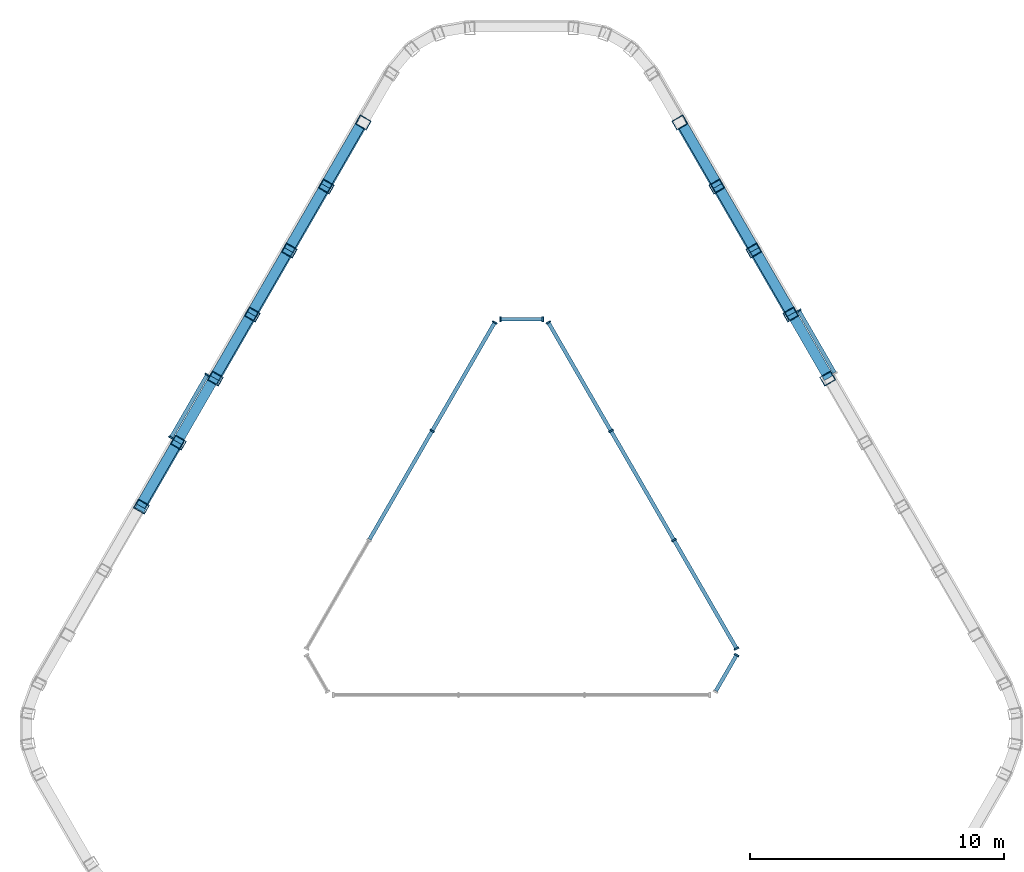
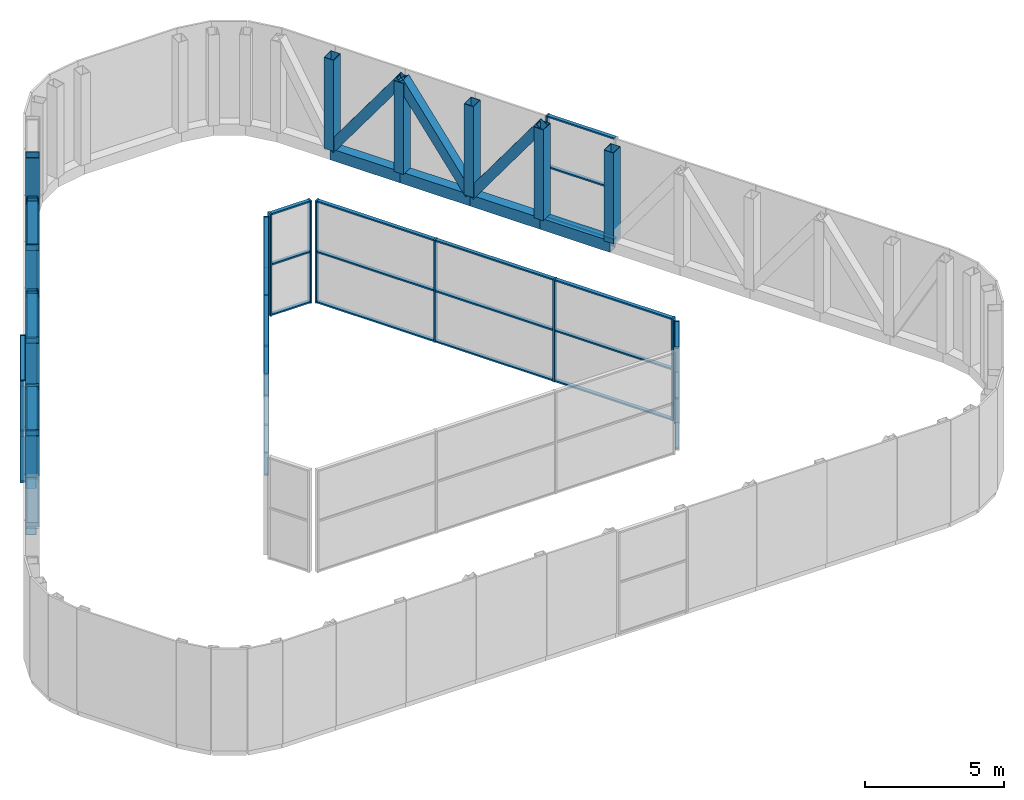
# One storey, part 2 of 5: 69 members, 6 elements without a shape of their own.
"""IFC4 building model written with IfcOpenShell, lengths in metres."""

from ifc_helpers import new_model, si_unit, direction, frame, origin, origin_2d, place, context, subcontext, project, spatial, rectangle, hollow_rectangle, extrude, material, layer, layer_set, material_profile, profile_set, type_object, element, aggregate, save


model = new_model("IFC4")

# Units and contexts
model_context = context("Model", 3, precision=1e-05, world=origin(), true_north=direction((0.0, 1.0)))
body_context = subcontext(model_context, "Body", "Model", "MODEL_VIEW")
ifc_project = project(units=[si_unit("LENGTHUNIT", "METRE"), si_unit("AREAUNIT", "SQUARE_METRE"), si_unit("VOLUMEUNIT", "CUBIC_METRE"), si_unit("PLANEANGLEUNIT", "RADIAN"), si_unit("MASSUNIT", "GRAM", prefix="KILO")], contexts=[model_context])

# Site, building, storey
site_placement = place(None, origin())
site = spatial("IfcSite", under=ifc_project, at=site_placement, CompositionType="ELEMENT")
building_placement = place(site_placement, origin())
building = spatial("IfcBuilding", under=site, at=building_placement, Name="Apuvela Tower Hotel", CompositionType="ELEMENT")
storey_placement = place(building_placement, frame((0.0, 0.0, 357.800048828125)))
storey = spatial("IfcBuildingStorey", under=building, at=storey_placement, Name="R-4 ROOF", CompositionType="ELEMENT", Elevation=357.800048828125)

# Members
ifc_material_1 = material(Name="Steel S355, black paint system", Category="steel")
ifc_material_profile_1 = material_profile(ifc_material_1, hollow_rectangle(XDim=0.39990234375, YDim=0.39990234375, WallThickness=0.01611328125, at=origin_2d()), Name="HSS 400x400x16")
ifc_profile_set_1 = profile_set([ifc_material_profile_1], Name="Steel S355, black paint system")
member_type_1 = type_object("IfcMemberType", Name="ENV-CROWN-BRACE-400x400", PredefinedType="BRACE", material=ifc_profile_set_1)
for number, where, z_axis, x_axis, name in (
    (1, (-6.236572265625, 17.050537109375, 0.25), (-0.294239887517, -0.50972631864, 0.808456534811), (0.866062731661, -0.499935340648, 0.0), "Crown frame brace 8"),
    (2, (-9.1484375, 12.0068359375, 0.25), (0.294292360305, 0.509682392621, 0.808465129315), (-0.866005469285, 0.500034525977, 0.0), "Crown frame brace 9"),
    (3, (-9.1484375, 12.0068359375, 0.25), (-0.294292360305, -0.509682392621, 0.808465129315), (0.866005469285, -0.500034525977, 0.0), "Crown frame brace 10"),
    (4, (-12.060302734375, 6.963134765625, 0.25), (0.294239887517, 0.50972631864, 0.808456534811), (-0.866062731661, 0.499935340648, 0.0), "Crown frame brace 11"),
    (5, (-14.972412109375, 1.91943359375, 0.25), (0.294292360305, 0.509682392621, 0.808465129315), (-0.866005469285, 0.500034525977, 0.0), "Crown frame brace 13"),
    (6, (9.1484375, 12.0068359375, 0.25), (0.294292360305, -0.509682392621, 0.808465129315), (0.866005469285, 0.500034525977, 0.0), "Crown frame brace 47"),
    (7, (9.1484375, 12.0068359375, 0.25), (-0.294292360305, 0.509682392621, 0.808465129315), (-0.866005469285, -0.500034525977, 0.0), "Crown frame brace 48"),
    (8, (6.236572265625, 17.050537109375, 0.25), (0.294239887517, -0.50972631864, 0.808456534811), (0.866062731661, 0.499935340648, 0.0), "Crown frame brace 49"),
):
    element("IfcMember", number, at=place(storey_placement, frame(where, z_axis=z_axis, x_axis=x_axis)), inside=storey, type_object=member_type_1, Name=name, PredefinedType="BRACE", context=body_context, shape_type="SweptSolid", body=[
        extrude(hollow_rectangle(XDim=0.39990234375, YDim=0.39990234375, WallThickness=0.01611328125, at=origin_2d()), origin(), (0.0, 0.0, 1.0), 4.94775390625),
    ])
ifc_material_profile_2 = material_profile(ifc_material_1, hollow_rectangle(XDim=0.39990234375, YDim=0.5, WallThickness=0.02001953125, at=origin_2d()), Name="HSS 500x400x20")
ifc_profile_set_2 = profile_set([ifc_material_profile_2], Name="Steel S355, black paint system")
member_type_2 = type_object("IfcMemberType", Name="ENV-CROWN-POST-500x400", PredefinedType="POST", material=ifc_profile_set_2)
for number, where, z_axis, x_axis, name in (
    (9, (-6.236572265625, 17.050537109375, 0.25), (0.0, 0.0, 1.0), (-0.5, -0.866025403784, 0.0), "Crown frame post 8"),
    (10, (-7.6923828125, 14.528564453125, 0.25), (0.0, 0.0, 1.0), (-0.5, -0.866025403784, 0.0), "Crown frame post 9"),
    (11, (-9.1484375, 12.0068359375, 0.25), (0.0, 0.0, 1.0), (-0.5, -0.866025403784, 0.0), "Crown frame post 10"),
    (12, (-10.6044921875, 9.485107421875, 0.25), (0.0, 0.0, 1.0), (-0.5, -0.866025403784, 0.0), "Crown frame post 11"),
    (13, (-12.060302734375, 6.963134765625, 0.25), (0.0, 0.0, 1.0), (-0.5, -0.866025403784, 0.0), "Crown frame post 12"),
    (14, (-13.516357421875, 4.441162109375, 0.25), (0.0, 0.0, 1.0), (-0.5, -0.866025403784, 0.0), "Crown frame post 13"),
    (15, (-14.972412109375, 1.91943359375, 0.25), (0.0, 0.0, 1.0), (-0.5, -0.866025403784, 0.0), "Crown frame post 14"),
    (16, (12.060302734375, 6.963134765625, 0.25), (0.0, 0.0, 1.0), (-0.5, 0.866025403784, 0.0), "Crown frame post 46"),
    (17, (10.6044921875, 9.485107421875, 0.25), (0.0, 0.0, 1.0), (-0.5, 0.866025403784, 0.0), "Crown frame post 47"),
    (18, (9.1484375, 12.0068359375, 0.25), (0.0, 0.0, 1.0), (-0.5, 0.866025403784, 0.0), "Crown frame post 48"),
    (19, (7.6923828125, 14.528564453125, 0.25), (0.0, 0.0, 1.0), (-0.5, 0.866025403784, 0.0), "Crown frame post 49"),
    (20, (6.236572265625, 17.050537109375, 0.25), (0.0, 0.0, 1.0), (-0.5, 0.866025403784, 0.0), "Crown frame post 50"),
):
    element("IfcMember", number, at=place(storey_placement, frame(where, z_axis=z_axis, x_axis=x_axis)), inside=storey, type_object=member_type_2, Name=name, PredefinedType="POST", context=body_context, shape_type="SweptSolid", body=[
        extrude(hollow_rectangle(XDim=0.39990234375, YDim=0.5, WallThickness=0.02001953125, at=origin_2d()), origin(), (0.0, 0.0, 1.0), 4.0),
    ])
ifc_material_profile_3 = material_profile(ifc_material_1, hollow_rectangle(XDim=0.39990234375, YDim=0.5, WallThickness=0.01611328125, at=origin_2d()), Name="HSS 500x400x16")
ifc_profile_set_3 = profile_set([ifc_material_profile_3], Name="Steel S355, black paint system")
member_type_3 = type_object("IfcMemberType", Name="ENV-CROWN-RING-500x400", PredefinedType="STRINGER", material=ifc_profile_set_3)
member_1_placement = place(storey_placement, frame((-6.27783203125, 17.07861328125, 0.0), z_axis=(-0.500015065024, -0.866016705814, 0.0), x_axis=(0.866016705814, -0.500015065024, 0.0)))
element("IfcMember", 21, at=member_1_placement, inside=storey, type_object=member_type_3, Name="Crown frame ring beam 4.8", PredefinedType="STRINGER", context=body_context, shape_type="SweptSolid", body=[
    extrude(hollow_rectangle(XDim=0.39990234375, YDim=0.5, WallThickness=0.01611328125, at=origin_2d()), origin(), (0.0, 0.0, 1.0), 2.9130859375),
])
for number, where, z_axis, x_axis, name in (
    (22, (-7.734375, 14.555908203125, 0.0), (-0.500051359076, -0.865995749577, 0.0), (0.865995749577, -0.500051359076, 0.0), "Crown frame ring beam 4.9"),
    (23, (-9.19091796875, 12.033447265625, 0.0), (-0.499952204256, -0.866052996912, 0.0), (0.866052996912, -0.499952204256, 0.0), "Crown frame ring beam 4.10"),
):
    element("IfcMember", number, at=place(storey_placement, frame(where, z_axis=z_axis, x_axis=x_axis)), inside=storey, type_object=member_type_3, Name=name, PredefinedType="STRINGER", context=body_context, shape_type="SweptSolid", body=[
        extrude(hollow_rectangle(XDim=0.39990234375, YDim=0.5, WallThickness=0.01611328125, at=origin_2d()), origin(), (0.0, 0.0, 1.0), 2.912841796875),
    ])
for number, where, z_axis, x_axis, name in (
    (24, (-10.647216796875, 9.5107421875, 0.0), (-0.500015065024, -0.866016705814, 0.0), (0.866016705814, -0.500015065024, 0.0), "Crown frame ring beam 4.11"),
    (25, (-12.103759765625, 6.988037109375, 0.0), (-0.500015065024, -0.866016705814, 0.0), (0.866016705814, -0.500015065024, 0.0), "Crown frame ring beam 4.12"),
):
    element("IfcMember", number, at=place(storey_placement, frame(where, z_axis=z_axis, x_axis=x_axis)), inside=storey, type_object=member_type_3, Name=name, PredefinedType="STRINGER", context=body_context, shape_type="SweptSolid", body=[
        extrude(hollow_rectangle(XDim=0.39990234375, YDim=0.5, WallThickness=0.01611328125, at=origin_2d()), origin(), (0.0, 0.0, 1.0), 2.9130859375),
    ])
member_2_placement = place(storey_placement, frame((-13.560302734375, 4.46533203125, 0.0), z_axis=(-0.499988496788, -0.866032045065, 0.0), x_axis=(0.866032045065, -0.499988496788, 0.0)))
element("IfcMember", 26, at=member_2_placement, inside=storey, type_object=member_type_3, Name="Crown frame ring beam 4.13", PredefinedType="STRINGER", context=body_context, shape_type="SweptSolid", body=[
    extrude(hollow_rectangle(XDim=0.39990234375, YDim=0.5, WallThickness=0.01611328125, at=origin_2d()), origin(), (0.0, 0.0, 1.0), 2.91259765625),
])
member_3_placement = place(storey_placement, frame((12.103759765625, 6.988037109375, 0.0), z_axis=(-0.500015065024, 0.866016705814, 0.0), x_axis=(-0.866016705814, -0.500015065024, 0.0)))
element("IfcMember", 27, at=member_3_placement, inside=storey, type_object=member_type_3, Name="Crown frame ring beam 4.46", PredefinedType="STRINGER", context=body_context, shape_type="SweptSolid", body=[
    extrude(hollow_rectangle(XDim=0.39990234375, YDim=0.5, WallThickness=0.01611328125, at=origin_2d()), origin(), (0.0, 0.0, 1.0), 2.9130859375),
])
for number, where, z_axis, x_axis, name in (
    (28, (10.647216796875, 9.5107421875, 0.0), (-0.499952204256, 0.866052996912, 0.0), (-0.866052996912, -0.499952204256, 0.0), "Crown frame ring beam 4.47"),
    (29, (9.19091796875, 12.033447265625, 0.0), (-0.500051359076, 0.865995749577, 0.0), (-0.865995749577, -0.500051359076, 0.0), "Crown frame ring beam 4.48"),
):
    element("IfcMember", number, at=place(storey_placement, frame(where, z_axis=z_axis, x_axis=x_axis)), inside=storey, type_object=member_type_3, Name=name, PredefinedType="STRINGER", context=body_context, shape_type="SweptSolid", body=[
        extrude(hollow_rectangle(XDim=0.39990234375, YDim=0.5, WallThickness=0.01611328125, at=origin_2d()), origin(), (0.0, 0.0, 1.0), 2.912841796875),
    ])
member_4_placement = place(storey_placement, frame((7.734375, 14.555908203125, 0.0), z_axis=(-0.500015065024, 0.866016705814, 0.0), x_axis=(-0.866016705814, -0.500015065024, 0.0)))
element("IfcMember", 30, at=member_4_placement, inside=storey, type_object=member_type_3, Name="Crown frame ring beam 4.49", PredefinedType="STRINGER", context=body_context, shape_type="SweptSolid", body=[
    extrude(hollow_rectangle(XDim=0.39990234375, YDim=0.5, WallThickness=0.01611328125, at=origin_2d()), origin(), (0.0, 0.0, 1.0), 2.9130859375),
])

# Curtain wall, members
ifc_material_2 = material(Name="Aluminium 6063-T6, dark bronze anodised", Category="aluminium")
ifc_layer_1 = layer(ifc_material_2, 0.199951171875)
ifc_layer_set_1 = layer_set([ifc_layer_1], Name="ENV-CW-C")
curtain_wall_type_1 = type_object("IfcCurtainWallType", Name="ENV-CW-C", PredefinedType="NOTDEFINED", material=ifc_layer_set_1)
curtain_wall_1_placement = place(storey_placement, origin())
curtain_wall_1 = element("IfcCurtainWall", 31, at=curtain_wall_1_placement, inside=storey, type_object=curtain_wall_type_1, Name="Crown glazing 12 R-4 ROOF", PredefinedType="NOTDEFINED")
ifc_material_profile_4 = material_profile(ifc_material_2, rectangle(XDim=0.199951171875, YDim=0.06494140625, at=origin_2d()), Name="AL 65x200")
ifc_profile_set_4 = profile_set([ifc_material_profile_4], Name="Aluminium 6063-T6, dark bronze anodised")
member_type_4 = type_object("IfcMemberType", Name="ENV-MULLION-65x200", PredefinedType="MULLION", material=ifc_profile_set_4)
member_5_placement = place(storey_placement, frame((-12.3798828125, 7.10986328125, 0.0), z_axis=(0.0, 0.0, 1.0), x_axis=(0.866036603266, -0.499980601426, 0.0)))
member_5 = element("IfcMember", 32, at=member_5_placement, type_object=member_type_4, Name="CW-C mullion 1", PredefinedType="MULLION", context=body_context, shape_type="SweptSolid", body=[
    extrude(rectangle(XDim=0.199951171875, YDim=0.06494140625, at=origin_2d()), origin(), (0.0, 0.0, 1.0), 4.5),
])
member_6_placement = place(storey_placement, frame((-13.805908203125, 4.6396484375, 0.0), z_axis=(0.0, 0.0, 1.0), x_axis=(0.866036603266, -0.499980601426, 0.0)))
member_6 = element("IfcMember", 33, at=member_6_placement, type_object=member_type_4, Name="CW-C mullion 2", PredefinedType="MULLION", context=body_context, shape_type="SweptSolid", body=[
    extrude(rectangle(XDim=0.199951171875, YDim=0.06494140625, at=origin_2d()), origin(), (0.0, 0.0, 1.0), 4.5),
])

# Curtain wall, member
curtain_wall_2_placement = place(storey_placement, origin())
curtain_wall_2 = element("IfcCurtainWall", 34, at=curtain_wall_2_placement, inside=storey, type_object=curtain_wall_type_1, Name="Crown glazing 46 R-4 ROOF", PredefinedType="NOTDEFINED")
member_7_placement = place(storey_placement, frame((10.921142578125, 9.636474609375, 0.0), z_axis=(0.0, 0.0, 1.0), x_axis=(-0.866021760657, -0.500006310028, 0.0)))
member_7 = element("IfcMember", 35, at=member_7_placement, type_object=member_type_4, Name="CW-C mullion 2", PredefinedType="MULLION", context=body_context, shape_type="SweptSolid", body=[
    extrude(rectangle(XDim=0.199951171875, YDim=0.06494140625, at=origin_2d()), origin(), (0.0, 0.0, 1.0), 4.5),
])

# Curtain wall, members
ifc_layer_2 = layer(ifc_material_2, 0.199951171875)
ifc_layer_set_2 = layer_set([ifc_layer_2], Name="ENV-CW-A")
curtain_wall_type_2 = type_object("IfcCurtainWallType", Name="ENV-CW-A", PredefinedType="NOTDEFINED", material=ifc_layer_set_2)
curtain_wall_3_placement = place(storey_placement, origin())
curtain_wall_3 = element("IfcCurtainWall", 36, at=curtain_wall_3_placement, inside=storey, type_object=curtain_wall_type_2, Name="Atrium glazing 1 R-4 ROOF", PredefinedType="NOTDEFINED")
member_8_placement = place(storey_placement, frame((0.83349609375, 9.300048828125, 0.0), z_axis=(0.0, 0.0, 1.0), x_axis=(0.0, -1.0, 0.0)))
member_8 = element("IfcMember", 37, at=member_8_placement, type_object=member_type_4, Name="CW-A mullion 1", PredefinedType="MULLION", context=body_context, shape_type="SweptSolid", body=[
    extrude(rectangle(XDim=0.199951171875, YDim=0.06494140625, at=origin_2d()), origin(), (0.0, 0.0, 1.0), 4.5),
])
member_9_placement = place(storey_placement, frame((-0.83349609375, 9.300048828125, 0.0), z_axis=(0.0, 0.0, 1.0), x_axis=(0.0, -1.0, 0.0)))
member_9 = element("IfcMember", 38, at=member_9_placement, type_object=member_type_4, Name="CW-A mullion 2", PredefinedType="MULLION", context=body_context, shape_type="SweptSolid", body=[
    extrude(rectangle(XDim=0.199951171875, YDim=0.06494140625, at=origin_2d()), origin(), (0.0, 0.0, 1.0), 4.5),
])

curtain_wall_4_placement = place(storey_placement, origin())
curtain_wall_4 = element("IfcCurtainWall", 39, at=curtain_wall_4_placement, inside=storey, type_object=curtain_wall_type_2, Name="Atrium glazing 2 R-4 ROOF", PredefinedType="NOTDEFINED")
member_10_placement = place(storey_placement, frame((-1.055419921875, 9.171875, 0.0), z_axis=(0.0, 0.0, 1.0), x_axis=(0.866025940778, -0.499999069899, 0.0)))
member_10 = element("IfcMember", 40, at=member_10_placement, type_object=member_type_4, Name="CW-A mullion 1", PredefinedType="MULLION", context=body_context, shape_type="SweptSolid", body=[
    extrude(rectangle(XDim=0.199951171875, YDim=0.06494140625, at=origin_2d()), origin(), (0.0, 0.0, 1.0), 4.5),
])
member_11_placement = place(storey_placement, frame((-3.521728515625, 4.89990234375, 0.0), z_axis=(0.0, 0.0, 1.0), x_axis=(0.866025940778, -0.499999069899, 0.0)))
member_11 = element("IfcMember", 41, at=member_11_placement, type_object=member_type_4, Name="CW-A mullion 2", PredefinedType="MULLION", context=body_context, shape_type="SweptSolid", body=[
    extrude(rectangle(XDim=0.199951171875, YDim=0.06494140625, at=origin_2d()), origin(), (0.0, 0.0, 1.0), 4.5),
])

# Curtain wall, member
curtain_wall_5_placement = place(storey_placement, origin())
curtain_wall_5 = element("IfcCurtainWall", 42, at=curtain_wall_5_placement, inside=storey, type_object=curtain_wall_type_2, Name="Atrium glazing 5 R-4 ROOF", PredefinedType="NOTDEFINED")
member_12_placement = place(storey_placement, frame((8.470703125, -3.92822265625, 0.0), z_axis=(0.0, 0.0, 1.0), x_axis=(-0.866031754706, 0.49998899972, 0.0)))
member_12 = element("IfcMember", 43, at=member_12_placement, type_object=member_type_4, Name="CW-A mullion 2", PredefinedType="MULLION", context=body_context, shape_type="SweptSolid", body=[
    extrude(rectangle(XDim=0.199951171875, YDim=0.06494140625, at=origin_2d()), origin(), (0.0, 0.0, 1.0), 4.5),
])

# Curtain wall, members
curtain_wall_6_placement = place(storey_placement, origin())
curtain_wall_6 = element("IfcCurtainWall", 44, at=curtain_wall_6_placement, inside=storey, type_object=curtain_wall_type_2, Name="Atrium glazing 6 R-4 ROOF", PredefinedType="NOTDEFINED")
member_13_placement = place(storey_placement, frame((8.470703125, -3.671875, 0.0), z_axis=(0.0, 0.0, 1.0), x_axis=(-0.866025940778, -0.499999069899, 0.0)))
member_13 = element("IfcMember", 45, at=member_13_placement, type_object=member_type_4, Name="CW-A mullion 1", PredefinedType="MULLION", context=body_context, shape_type="SweptSolid", body=[
    extrude(rectangle(XDim=0.199951171875, YDim=0.06494140625, at=origin_2d()), origin(), (0.0, 0.0, 1.0), 4.5),
])
member_14_placement = place(storey_placement, frame((6.00439453125, 0.60009765625, 0.0), z_axis=(0.0, 0.0, 1.0), x_axis=(-0.866025940778, -0.499999069899, 0.0)))
member_14 = element("IfcMember", 46, at=member_14_placement, type_object=member_type_4, Name="CW-A mullion 2", PredefinedType="MULLION", context=body_context, shape_type="SweptSolid", body=[
    extrude(rectangle(XDim=0.199951171875, YDim=0.06494140625, at=origin_2d()), origin(), (0.0, 0.0, 1.0), 4.5),
])
member_15_placement = place(storey_placement, frame((3.521728515625, 4.89990234375, 0.0), z_axis=(0.0, 0.0, 1.0), x_axis=(-0.866025940778, -0.499999069899, 0.0)))
member_15 = element("IfcMember", 47, at=member_15_placement, type_object=member_type_4, Name="CW-A mullion 3", PredefinedType="MULLION", context=body_context, shape_type="SweptSolid", body=[
    extrude(rectangle(XDim=0.199951171875, YDim=0.06494140625, at=origin_2d()), origin(), (0.0, 0.0, 1.0), 4.5),
])
member_16_placement = place(storey_placement, frame((1.055419921875, 9.171875, 0.0), z_axis=(0.0, 0.0, 1.0), x_axis=(-0.866025940778, -0.499999069899, 0.0)))
member_16 = element("IfcMember", 48, at=member_16_placement, type_object=member_type_4, Name="CW-A mullion 4", PredefinedType="MULLION", context=body_context, shape_type="SweptSolid", body=[
    extrude(rectangle(XDim=0.199951171875, YDim=0.06494140625, at=origin_2d()), origin(), (0.0, 0.0, 1.0), 4.5),
])

# Member
ifc_material_profile_5 = material_profile(ifc_material_2, rectangle(XDim=0.14990234375, YDim=0.06494140625, at=origin_2d()), Name="AL 65x150 transom")
ifc_profile_set_5 = profile_set([ifc_material_profile_5], Name="Aluminium 6063-T6, dark bronze anodised")
member_type_5 = type_object("IfcMemberType", Name="ENV-TRANSOM-65x150", PredefinedType="USERDEFINED", material=ifc_profile_set_5)
member_17_placement = place(storey_placement, frame((-12.39599609375, 7.081787109375, 0.032470703125), z_axis=(-0.500048472683, -0.865997416259, 0.0), x_axis=(0.865997416259, -0.500048472683, 0.0)))
member_17 = element("IfcMember", 49, at=member_17_placement, type_object=member_type_5, Name="CW-C transom 1.1", ObjectType="TRANSOM", PredefinedType="USERDEFINED", context=body_context, shape_type="SweptSolid", body=[
    extrude(rectangle(XDim=0.14990234375, YDim=0.06494140625, at=origin_2d()), origin(), (0.0, 0.0, 1.0), 2.787353515625),
])

member_18_placement = place(storey_placement, frame((-12.39599609375, 7.081787109375, 2.25), z_axis=(-0.500048472683, -0.865997416259, 0.0), x_axis=(0.865997416259, -0.500048472683, 0.0)))
member_18 = element("IfcMember", 50, at=member_18_placement, type_object=member_type_5, Name="CW-C transom 1.2", ObjectType="TRANSOM", PredefinedType="USERDEFINED", context=body_context, shape_type="SweptSolid", body=[
    extrude(rectangle(XDim=0.14990234375, YDim=0.06494140625, at=origin_2d()), origin(), (0.0, 0.0, 1.0), 2.787353515625),
])

member_19_placement = place(storey_placement, frame((-12.39599609375, 7.081787109375, 4.467529296875), z_axis=(-0.500048472683, -0.865997416259, 0.0), x_axis=(0.865997416259, -0.500048472683, 0.0)))
member_19 = element("IfcMember", 51, at=member_19_placement, type_object=member_type_5, Name="CW-C transom 1.3", ObjectType="TRANSOM", PredefinedType="USERDEFINED", context=body_context, shape_type="SweptSolid", body=[
    extrude(rectangle(XDim=0.14990234375, YDim=0.06494140625, at=origin_2d()), origin(), (0.0, 0.0, 1.0), 2.787353515625),
])

aggregate(curtain_wall_1, [member_5, member_6, member_17, member_18, member_19])

member_20_placement = place(storey_placement, frame((12.3310546875, 7.1943359375, 0.032470703125), z_axis=(-0.499944854726, 0.866057239582, 0.0), x_axis=(-0.866057239582, -0.499944854726, 0.0)))
member_20 = element("IfcMember", 52, at=member_20_placement, type_object=member_type_5, Name="CW-C transom 1.1", ObjectType="TRANSOM", PredefinedType="USERDEFINED", context=body_context, shape_type="SweptSolid", body=[
    extrude(rectangle(XDim=0.14990234375, YDim=0.06494140625, at=origin_2d()), origin(), (0.0, 0.0, 1.0), 2.787353515625),
])

member_21_placement = place(storey_placement, frame((12.3310546875, 7.1943359375, 2.25), z_axis=(-0.499944854726, 0.866057239582, 0.0), x_axis=(-0.866057239582, -0.499944854726, 0.0)))
member_21 = element("IfcMember", 53, at=member_21_placement, type_object=member_type_5, Name="CW-C transom 1.2", ObjectType="TRANSOM", PredefinedType="USERDEFINED", context=body_context, shape_type="SweptSolid", body=[
    extrude(rectangle(XDim=0.14990234375, YDim=0.06494140625, at=origin_2d()), origin(), (0.0, 0.0, 1.0), 2.787353515625),
])

member_22_placement = place(storey_placement, frame((12.3310546875, 7.1943359375, 4.467529296875), z_axis=(-0.499944854726, 0.866057239582, 0.0), x_axis=(-0.866057239582, -0.499944854726, 0.0)))
member_22 = element("IfcMember", 54, at=member_22_placement, type_object=member_type_5, Name="CW-C transom 1.3", ObjectType="TRANSOM", PredefinedType="USERDEFINED", context=body_context, shape_type="SweptSolid", body=[
    extrude(rectangle(XDim=0.14990234375, YDim=0.06494140625, at=origin_2d()), origin(), (0.0, 0.0, 1.0), 2.787353515625),
])

aggregate(curtain_wall_2, [member_7, member_20, member_21, member_22])

member_23_placement = place(storey_placement, frame((0.801025390625, 9.300048828125, 0.032470703125), z_axis=(-1.0, 0.0, 0.0), x_axis=(0.0, -1.0, 0.0)))
member_23 = element("IfcMember", 55, at=member_23_placement, type_object=member_type_5, Name="CW-A transom 1.1", ObjectType="TRANSOM", PredefinedType="USERDEFINED", context=body_context, shape_type="SweptSolid", body=[
    extrude(rectangle(XDim=0.14990234375, YDim=0.06494140625, at=origin_2d()), origin(), (0.0, 0.0, 1.0), 1.60205078125),
])

member_24_placement = place(storey_placement, frame((0.801025390625, 9.300048828125, 2.25), z_axis=(-1.0, 0.0, 0.0), x_axis=(0.0, -1.0, 0.0)))
member_24 = element("IfcMember", 56, at=member_24_placement, type_object=member_type_5, Name="CW-A transom 1.2", ObjectType="TRANSOM", PredefinedType="USERDEFINED", context=body_context, shape_type="SweptSolid", body=[
    extrude(rectangle(XDim=0.14990234375, YDim=0.06494140625, at=origin_2d()), origin(), (0.0, 0.0, 1.0), 1.60205078125),
])

member_25_placement = place(storey_placement, frame((0.801025390625, 9.300048828125, 4.467529296875), z_axis=(-1.0, 0.0, 0.0), x_axis=(0.0, -1.0, 0.0)))
member_25 = element("IfcMember", 57, at=member_25_placement, type_object=member_type_5, Name="CW-A transom 1.3", ObjectType="TRANSOM", PredefinedType="USERDEFINED", context=body_context, shape_type="SweptSolid", body=[
    extrude(rectangle(XDim=0.14990234375, YDim=0.06494140625, at=origin_2d()), origin(), (0.0, 0.0, 1.0), 1.60205078125),
])

aggregate(curtain_wall_3, [member_8, member_9, member_23, member_24, member_25])

member_26_placement = place(storey_placement, frame((-1.07177734375, 9.143798828125, 0.032470703125), z_axis=(-0.49999597136, -0.866027729709, 0.0), x_axis=(0.866027729709, -0.49999597136, 0.0)))
member_26 = element("IfcMember", 58, at=member_26_placement, type_object=member_type_5, Name="CW-A transom 1.1", ObjectType="TRANSOM", PredefinedType="USERDEFINED", context=body_context, shape_type="SweptSolid", body=[
    extrude(rectangle(XDim=0.14990234375, YDim=0.06494140625, at=origin_2d()), origin(), (0.0, 0.0, 1.0), 4.86767578125),
])

member_27_placement = place(storey_placement, frame((-1.07177734375, 9.143798828125, 2.25), z_axis=(-0.49999597136, -0.866027729709, 0.0), x_axis=(0.866027729709, -0.49999597136, 0.0)))
member_27 = element("IfcMember", 59, at=member_27_placement, type_object=member_type_5, Name="CW-A transom 1.2", ObjectType="TRANSOM", PredefinedType="USERDEFINED", context=body_context, shape_type="SweptSolid", body=[
    extrude(rectangle(XDim=0.14990234375, YDim=0.06494140625, at=origin_2d()), origin(), (0.0, 0.0, 1.0), 4.86767578125),
])

member_28_placement = place(storey_placement, frame((-1.07177734375, 9.143798828125, 4.467529296875), z_axis=(-0.49999597136, -0.866027729709, 0.0), x_axis=(0.866027729709, -0.49999597136, 0.0)))
member_28 = element("IfcMember", 60, at=member_28_placement, type_object=member_type_5, Name="CW-A transom 1.3", ObjectType="TRANSOM", PredefinedType="USERDEFINED", context=body_context, shape_type="SweptSolid", body=[
    extrude(rectangle(XDim=0.14990234375, YDim=0.06494140625, at=origin_2d()), origin(), (0.0, 0.0, 1.0), 4.86767578125),
])

member_29_placement = place(storey_placement, frame((-3.5380859375, 4.871826171875, 0.032470703125), z_axis=(-0.49998122708, -0.866036242063, 0.0), x_axis=(0.866036242063, -0.49998122708, 0.0)))
member_29 = element("IfcMember", 61, at=member_29_placement, type_object=member_type_5, Name="CW-A transom 2.1", ObjectType="TRANSOM", PredefinedType="USERDEFINED", context=body_context, shape_type="SweptSolid", body=[
    extrude(rectangle(XDim=0.14990234375, YDim=0.06494140625, at=origin_2d()), origin(), (0.0, 0.0, 1.0), 4.900146484375),
])

member_30_placement = place(storey_placement, frame((-3.5380859375, 4.871826171875, 2.25), z_axis=(-0.49998122708, -0.866036242063, 0.0), x_axis=(0.866036242063, -0.49998122708, 0.0)))
member_30 = element("IfcMember", 62, at=member_30_placement, type_object=member_type_5, Name="CW-A transom 2.2", ObjectType="TRANSOM", PredefinedType="USERDEFINED", context=body_context, shape_type="SweptSolid", body=[
    extrude(rectangle(XDim=0.14990234375, YDim=0.06494140625, at=origin_2d()), origin(), (0.0, 0.0, 1.0), 4.900146484375),
])

member_31_placement = place(storey_placement, frame((-3.5380859375, 4.871826171875, 4.467529296875), z_axis=(-0.49998122708, -0.866036242063, 0.0), x_axis=(0.866036242063, -0.49998122708, 0.0)))
member_31 = element("IfcMember", 63, at=member_31_placement, type_object=member_type_5, Name="CW-A transom 2.3", ObjectType="TRANSOM", PredefinedType="USERDEFINED", context=body_context, shape_type="SweptSolid", body=[
    extrude(rectangle(XDim=0.14990234375, YDim=0.06494140625, at=origin_2d()), origin(), (0.0, 0.0, 1.0), 4.900146484375),
])

aggregate(curtain_wall_4, [member_10, member_11, member_26, member_27, member_28, member_29, member_30, member_31])

member_32_placement = place(storey_placement, frame((7.653564453125, -5.34375, 0.032470703125), z_axis=(0.499990676028, 0.866030786915, 0.0), x_axis=(-0.866030786915, 0.499990676028, 0.0)))
member_32 = element("IfcMember", 64, at=member_32_placement, type_object=member_type_5, Name="CW-A transom 1.1", ObjectType="TRANSOM", PredefinedType="USERDEFINED", context=body_context, shape_type="SweptSolid", body=[
    extrude(rectangle(XDim=0.14990234375, YDim=0.06494140625, at=origin_2d()), origin(), (0.0, 0.0, 1.0), 1.60205078125),
])

member_33_placement = place(storey_placement, frame((7.653564453125, -5.34375, 2.25), z_axis=(0.499990676028, 0.866030786915, 0.0), x_axis=(-0.866030786915, 0.499990676028, 0.0)))
member_33 = element("IfcMember", 65, at=member_33_placement, type_object=member_type_5, Name="CW-A transom 1.2", ObjectType="TRANSOM", PredefinedType="USERDEFINED", context=body_context, shape_type="SweptSolid", body=[
    extrude(rectangle(XDim=0.14990234375, YDim=0.06494140625, at=origin_2d()), origin(), (0.0, 0.0, 1.0), 1.60205078125),
])

member_34_placement = place(storey_placement, frame((7.653564453125, -5.34375, 4.467529296875), z_axis=(0.499990676028, 0.866030786915, 0.0), x_axis=(-0.866030786915, 0.499990676028, 0.0)))
member_34 = element("IfcMember", 66, at=member_34_placement, type_object=member_type_5, Name="CW-A transom 1.3", ObjectType="TRANSOM", PredefinedType="USERDEFINED", context=body_context, shape_type="SweptSolid", body=[
    extrude(rectangle(XDim=0.14990234375, YDim=0.06494140625, at=origin_2d()), origin(), (0.0, 0.0, 1.0), 1.60205078125),
])

aggregate(curtain_wall_5, [member_12, member_32, member_33, member_34])

member_35_placement = place(storey_placement, frame((8.45458984375, -3.643798828125, 0.032470703125), z_axis=(-0.49999597136, 0.866027729709, 0.0), x_axis=(-0.866027729709, -0.49999597136, 0.0)))
member_35 = element("IfcMember", 67, at=member_35_placement, type_object=member_type_5, Name="CW-A transom 1.1", ObjectType="TRANSOM", PredefinedType="USERDEFINED", context=body_context, shape_type="SweptSolid", body=[
    extrude(rectangle(XDim=0.14990234375, YDim=0.06494140625, at=origin_2d()), origin(), (0.0, 0.0, 1.0), 4.86767578125),
])

member_36_placement = place(storey_placement, frame((8.45458984375, -3.643798828125, 2.25), z_axis=(-0.49999597136, 0.866027729709, 0.0), x_axis=(-0.866027729709, -0.49999597136, 0.0)))
member_36 = element("IfcMember", 68, at=member_36_placement, type_object=member_type_5, Name="CW-A transom 1.2", ObjectType="TRANSOM", PredefinedType="USERDEFINED", context=body_context, shape_type="SweptSolid", body=[
    extrude(rectangle(XDim=0.14990234375, YDim=0.06494140625, at=origin_2d()), origin(), (0.0, 0.0, 1.0), 4.86767578125),
])

member_37_placement = place(storey_placement, frame((8.45458984375, -3.643798828125, 4.467529296875), z_axis=(-0.49999597136, 0.866027729709, 0.0), x_axis=(-0.866027729709, -0.49999597136, 0.0)))
member_37 = element("IfcMember", 69, at=member_37_placement, type_object=member_type_5, Name="CW-A transom 1.3", ObjectType="TRANSOM", PredefinedType="USERDEFINED", context=body_context, shape_type="SweptSolid", body=[
    extrude(rectangle(XDim=0.14990234375, YDim=0.06494140625, at=origin_2d()), origin(), (0.0, 0.0, 1.0), 4.86767578125),
])

member_38_placement = place(storey_placement, frame((5.988037109375, 0.628173828125, 0.032470703125), z_axis=(-0.49998122708, 0.866036242063, 0.0), x_axis=(-0.866036242063, -0.49998122708, 0.0)))
member_38 = element("IfcMember", 70, at=member_38_placement, type_object=member_type_5, Name="CW-A transom 2.1", ObjectType="TRANSOM", PredefinedType="USERDEFINED", context=body_context, shape_type="SweptSolid", body=[
    extrude(rectangle(XDim=0.14990234375, YDim=0.06494140625, at=origin_2d()), origin(), (0.0, 0.0, 1.0), 4.900146484375),
])

member_39_placement = place(storey_placement, frame((5.988037109375, 0.628173828125, 2.25), z_axis=(-0.49998122708, 0.866036242063, 0.0), x_axis=(-0.866036242063, -0.49998122708, 0.0)))
member_39 = element("IfcMember", 71, at=member_39_placement, type_object=member_type_5, Name="CW-A transom 2.2", ObjectType="TRANSOM", PredefinedType="USERDEFINED", context=body_context, shape_type="SweptSolid", body=[
    extrude(rectangle(XDim=0.14990234375, YDim=0.06494140625, at=origin_2d()), origin(), (0.0, 0.0, 1.0), 4.900146484375),
])

member_40_placement = place(storey_placement, frame((5.988037109375, 0.628173828125, 4.467529296875), z_axis=(-0.49998122708, 0.866036242063, 0.0), x_axis=(-0.866036242063, -0.49998122708, 0.0)))
member_40 = element("IfcMember", 72, at=member_40_placement, type_object=member_type_5, Name="CW-A transom 2.3", ObjectType="TRANSOM", PredefinedType="USERDEFINED", context=body_context, shape_type="SweptSolid", body=[
    extrude(rectangle(XDim=0.14990234375, YDim=0.06494140625, at=origin_2d()), origin(), (0.0, 0.0, 1.0), 4.900146484375),
])

member_41_placement = place(storey_placement, frame((3.505615234375, 4.92822265625, 0.032470703125), z_axis=(-0.49999597136, 0.866027729709, 0.0), x_axis=(-0.866027729709, -0.49999597136, 0.0)))
member_41 = element("IfcMember", 73, at=member_41_placement, type_object=member_type_5, Name="CW-A transom 3.1", ObjectType="TRANSOM", PredefinedType="USERDEFINED", context=body_context, shape_type="SweptSolid", body=[
    extrude(rectangle(XDim=0.14990234375, YDim=0.06494140625, at=origin_2d()), origin(), (0.0, 0.0, 1.0), 4.86767578125),
])

member_42_placement = place(storey_placement, frame((3.505615234375, 4.92822265625, 2.25), z_axis=(-0.49999597136, 0.866027729709, 0.0), x_axis=(-0.866027729709, -0.49999597136, 0.0)))
member_42 = element("IfcMember", 74, at=member_42_placement, type_object=member_type_5, Name="CW-A transom 3.2", ObjectType="TRANSOM", PredefinedType="USERDEFINED", context=body_context, shape_type="SweptSolid", body=[
    extrude(rectangle(XDim=0.14990234375, YDim=0.06494140625, at=origin_2d()), origin(), (0.0, 0.0, 1.0), 4.86767578125),
])

member_43_placement = place(storey_placement, frame((3.505615234375, 4.92822265625, 4.467529296875), z_axis=(-0.49999597136, 0.866027729709, 0.0), x_axis=(-0.866027729709, -0.49999597136, 0.0)))
member_43 = element("IfcMember", 75, at=member_43_placement, type_object=member_type_5, Name="CW-A transom 3.3", ObjectType="TRANSOM", PredefinedType="USERDEFINED", context=body_context, shape_type="SweptSolid", body=[
    extrude(rectangle(XDim=0.14990234375, YDim=0.06494140625, at=origin_2d()), origin(), (0.0, 0.0, 1.0), 4.86767578125),
])

aggregate(curtain_wall_6, [member_13, member_14, member_15, member_16, member_35, member_36, member_37, member_38, member_39, member_40, member_41, member_42, member_43])

save(model, "model.ifc")
